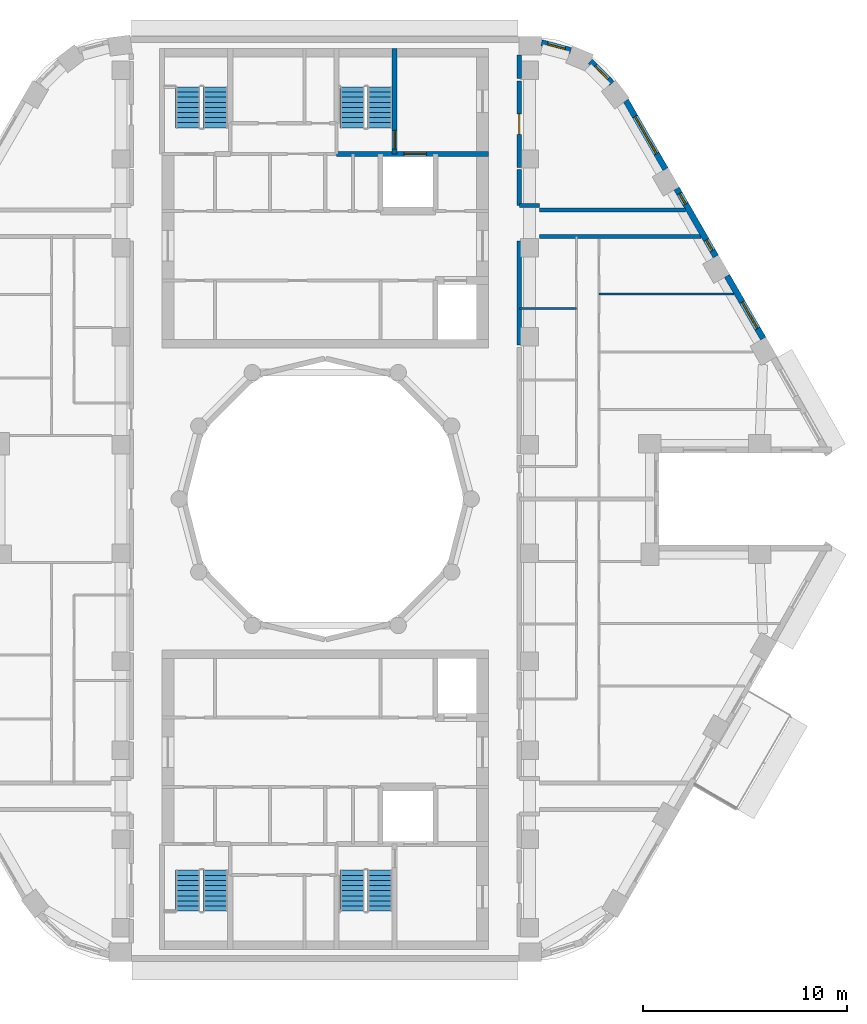
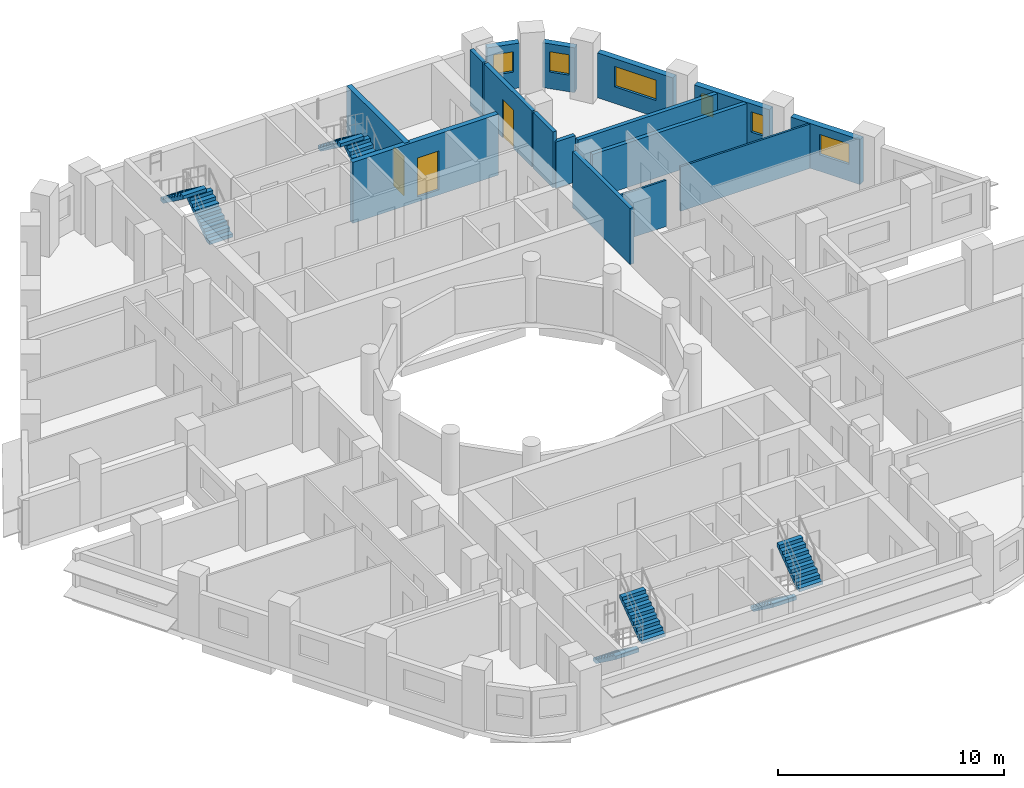
# One storey, part 8 of 12: 16 walls, 8 stair flights, 6 windows, 3 doors, 9 openings, 4 elements without a shape of their own.
"""IFC4 building model written with IfcOpenShell, lengths in metres."""

from ifc_helpers import new_model, si_unit, direction, frame, frame_2d, origin, place, context, subcontext, project, spatial, polyline, rectangle, outline, extrude, material, layer, layer_set, type_object, element, fill, aggregate, save


model = new_model("IFC4")

# Units and contexts
model_context = context("Model", 3, precision=1e-05, world=origin(), true_north=direction((0.0, 1.0)))
body_context = subcontext(model_context, "Body", "Model", "MODEL_VIEW")
ifc_project = project(units=[si_unit("LENGTHUNIT", "METRE"), si_unit("AREAUNIT", "SQUARE_METRE"), si_unit("VOLUMEUNIT", "CUBIC_METRE"), si_unit("PLANEANGLEUNIT", "RADIAN"), si_unit("MASSUNIT", "GRAM", prefix="KILO")], contexts=[model_context])

# Site, building, storey
site_placement = place(None, origin())
site = spatial("IfcSite", under=ifc_project, at=site_placement, CompositionType="ELEMENT")
building_placement = place(site_placement, origin())
building = spatial("IfcBuilding", under=site, at=building_placement, Name="Nakaniwa Court", CompositionType="ELEMENT")
storey_placement = place(building_placement, frame((0.0, 0.0, 232.800048828125)))
storey = spatial("IfcBuildingStorey", under=building, at=storey_placement, Name="L60", CompositionType="ELEMENT", Elevation=232.800048828125)

# Walls
ifc_material_1 = material(Name="Acoustic double stud partition")
ifc_layer_1 = layer(ifc_material_1, 0.199951171875)
ifc_layer_set_1 = layer_set([ifc_layer_1], Name="Acoustic double stud partition")
wall_type_1 = type_object("IfcWallType", Name="Acoustic double stud partition 200", PredefinedType="PARTITIONING", material=ifc_layer_set_1)
wall_1_placement = place(storey_placement, frame((89.5, 87.537109375, 0.0), z_axis=(0.0, 0.0, 1.0), x_axis=(0.0, 1.0, 0.0)))
element("IfcWall", 1, at=wall_1_placement, inside=storey, type_object=wall_type_1, Name="Partition PW-063", PredefinedType="PARTITIONING", context=body_context, shape_type="SweptSolid", body=[
    extrude(rectangle(XDim=5.0908203125, YDim=0.199951171875, at=frame_2d((2.54541015625, 0.0))), origin(), (0.0, 0.0, 1.0), 3.02490234375),
])
wall_2_placement = place(storey_placement, frame((89.5, 94.3720703125, 0.0), z_axis=(0.0, 0.0, 1.0), x_axis=(0.0, 1.0, 0.0)))
element("IfcWall", 2, at=wall_2_placement, inside=storey, type_object=wall_type_1, Name="Partition PW-064", PredefinedType="PARTITIONING", context=body_context, shape_type="SweptSolid", body=[
    extrude(rectangle(XDim=1.7509765625, YDim=0.199951171875, at=frame_2d((0.87548828125, 0.0))), origin(), (0.0, 0.0, 1.0), 3.02490234375),
])

# Wall, opening, door
wall_3_placement = place(storey_placement, frame((89.5, 100.472900390625, 0.0), z_axis=(0.0, 0.0, 1.0), x_axis=(0.0, -1.0, 0.0)))
wall_3 = element("IfcWall", 3, at=wall_3_placement, inside=storey, type_object=wall_type_1, Name="Partition PW-065", PredefinedType="PARTITIONING", context=body_context, shape_type="SweptSolid", body=[
    extrude(rectangle(XDim=4.23583984375, YDim=0.199951171875, at=frame_2d((2.117919921875, 0.0))), origin(), (0.0, 0.0, 1.0), 3.02490234375),
])
opening_1_placement = place(wall_3_placement, frame((1.617919921875, 0.0, 0.0)))
opening_1 = element("IfcOpeningElement", 4, at=opening_1_placement, cuts=wall_3, Name="Opening D-02-02", PredefinedType="OPENING", context=body_context, shape_type="SweptSolid", body=[
    extrude(rectangle(XDim=1.0, YDim=2.10009765625, at=frame_2d((0.5, 1.050048828125))), frame((0.0, 0.10986328125, 0.0), z_axis=(0.0, -1.0, 0.0), x_axis=(1.0, 0.0, 0.0)), (0.0, 0.0, 1.0), 0.219970703125),
])
ifc_material_2 = material(Name="Solid core timber door set, black veneer", Category="wood")
door_type_1 = type_object("IfcDoorType", Name="Internal door 1000", OperationType="NOTDEFINED", PredefinedType="DOOR", material=ifc_material_2)
door_1_placement = place(opening_1_placement, origin())
door_1 = element("IfcDoor", 5, at=door_1_placement, inside=storey, type_object=door_type_1, Name="Door D-02-02 L60-046", OperationType="SINGLE_SWING_LEFT", OverallHeight=2.10009765625, OverallWidth=1.0, PredefinedType="DOOR", context=body_context, shape_type="SweptSolid", body=[
    extrude(rectangle(XDim=1.0, YDim=2.10009765625, at=frame_2d((0.5, 1.050048828125))), frame((0.0, 0.02490234375, 0.0), z_axis=(0.0, -1.0, 0.0), x_axis=(1.0, 0.0, 0.0)), (0.0, 0.0, 1.0), 0.050048828125),
])
fill(opening_1, door_1)

# Walls
wall_4_placement = place(storey_placement, frame((89.5, 100.5869140625, 0.0), z_axis=(0.0, 0.0, 1.0), x_axis=(0.0, 1.0, 0.0)))
element("IfcWall", 6, at=wall_4_placement, inside=storey, type_object=wall_type_1, Name="Partition PW-066", PredefinedType="PARTITIONING", context=body_context, shape_type="SweptSolid", body=[
    extrude(rectangle(XDim=1.14599609375, YDim=0.199951171875, at=frame_2d((0.572998046875, 0.0))), origin(), (0.0, 0.0, 1.0), 3.02490234375),
])
wall_5_placement = place(storey_placement, frame((90.5, 92.85009765625, 0.0), z_axis=(0.0, 0.0, 1.0), x_axis=(1.0, 0.0, 0.0)))
element("IfcWall", 7, at=wall_5_placement, inside=storey, type_object=wall_type_1, Name="Partition PW-068", PredefinedType="PARTITIONING", context=body_context, shape_type="SweptSolid", body=[
    extrude(rectangle(XDim=7.888671875, YDim=0.199951171875, at=frame_2d((3.9443359375, 0.0))), origin(), (0.0, 0.0, 1.0), 2.405029296875),
])
wall_6_placement = place(storey_placement, frame((89.5, 94.375, 0.0), z_axis=(0.0, 0.0, 1.0), x_axis=(1.0, 0.0, 0.0)))
element("IfcWall", 8, at=wall_6_placement, inside=storey, type_object=wall_type_1, Name="Partition PW-070", PredefinedType="PARTITIONING", context=body_context, shape_type="SweptSolid", body=[
    extrude(rectangle(XDim=1.0, YDim=0.199951171875, at=frame_2d((0.5, 0.0))), origin(), (0.0, 0.0, 1.0), 2.5048828125),
])
wall_7_placement = place(storey_placement, frame((90.5, 94.14990234375, 0.0), z_axis=(0.0, 0.0, 1.0), x_axis=(1.0, 0.0, 0.0)))
element("IfcWall", 9, at=wall_7_placement, inside=storey, type_object=wall_type_1, Name="Partition PW-072", PredefinedType="PARTITIONING", context=body_context, shape_type="SweptSolid", body=[
    extrude(rectangle(XDim=7.13818359375, YDim=0.199951171875, at=frame_2d((3.569091796875, 0.0))), origin(), (0.0, 0.0, 1.0), 2.405029296875),
])

# Wall, opening, window
ifc_material_3 = material(Name="Charcoal ceramic cladding")
ifc_layer_2 = layer(ifc_material_3, 0.02, Name="Ceramic cladding")
ifc_material_4 = material(Name="Ventilated air cavity")
ifc_layer_3 = layer(ifc_material_4, 0.04, ventilated=True, Name="Ventilated cavity")
ifc_material_5 = material(Name="Mineral wool insulation")
ifc_layer_4 = layer(ifc_material_5, 0.1, Name="Insulation")
ifc_material_6 = material(Name="Cement bonded sheathing board")
ifc_layer_5 = layer(ifc_material_6, 0.012, Name="Sheathing")
ifc_material_7 = material(Name="Cold-formed galvanised stud frame with mineral wool infill")
ifc_layer_6 = layer(ifc_material_7, 0.1, Name="Stud frame")
ifc_material_8 = material(Name="Fire-rated gypsum plasterboard lining")
ifc_layer_7 = layer(ifc_material_8, 0.028, Name="Lining")
ifc_layer_set_2 = layer_set([ifc_layer_2, ifc_layer_3, ifc_layer_4, ifc_layer_5, ifc_layer_6, ifc_layer_7], Name="Charcoal ceramic faced external wall system")
wall_type_2 = type_object("IfcWallType", Name="Black ceramic faced external wall 300", PredefinedType="SOLIDWALL", material=ifc_layer_set_2)
wall_8_placement = place(storey_placement, frame((101.44580078125, 87.85498046875, 0.0), z_axis=(0.0, 0.0, 1.0), x_axis=(-0.500010404316, 0.866019396766, 0.0)))
wall_8 = element("IfcWall", 10, at=wall_8_placement, inside=storey, type_object=wall_type_2, Name="L60 external wall 03", PredefinedType="SOLIDWALL", context=body_context, shape_type="SweptSolid", body=[
    extrude(rectangle(XDim=3.54736328125, YDim=0.300048828125, at=frame_2d((1.773681640625, 0.0))), origin(), (0.0, 0.0, 1.0), 2.425048828125),
])
opening_2_placement = place(wall_8_placement, frame((0.56640625, 0.0, 0.89990234375)))
opening_2 = element("IfcOpeningElement", 11, at=opening_2_placement, cuts=wall_8, Name="Opening W5.05", PredefinedType="OPENING", context=body_context, shape_type="SweptSolid", body=[
    extrude(rectangle(XDim=1.5, YDim=1.10009765625, at=frame_2d((0.75, 0.550048828125))), frame((0.0, 0.159912109375, 0.0), z_axis=(0.0, -1.0, 0.0), x_axis=(1.0, 0.0, 0.0)), (0.0, 0.0, 1.0), 0.320068359375),
])
ifc_material_9 = material(Name="Black anodised aluminium frame with dark low-E laminated double glazing", Category="aluminium")
window_type_1 = type_object("IfcWindowType", Name="Dark glass window 1500x1100 sill 900", PartitioningType="SINGLE_PANEL", PredefinedType="WINDOW", material=ifc_material_9)
window_1_placement = place(opening_2_placement, origin())
window_1 = element("IfcWindow", 12, at=window_1_placement, inside=storey, type_object=window_type_1, Name="L60 bedroom window 03-0", OverallHeight=1.10009765625, OverallWidth=1.5, PartitioningType="SINGLE_PANEL", PredefinedType="WINDOW", context=body_context, shape_type="SweptSolid", body=[
    extrude(rectangle(XDim=1.5, YDim=1.10009765625, at=frame_2d((0.75, 0.550048828125))), frame((0.0, 0.030029296875, 0.0), z_axis=(0.0, -1.0, 0.0), x_axis=(1.0, 0.0, 0.0)), (0.0, 0.0, 1.0), 0.06005859375),
])
fill(opening_2, window_1)

# Wall, openings, windows
wall_9_placement = place(storey_placement, frame((99.126220703125, 91.87255859375, 0.0), z_axis=(0.0, 0.0, 1.0), x_axis=(-0.499984490703, 0.866034357896, 0.0)))
wall_9 = element("IfcWall", 13, at=wall_9_placement, inside=storey, type_object=wall_type_2, Name="L60 external wall 04", PredefinedType="SOLIDWALL", context=body_context, shape_type="SweptSolid", body=[
    extrude(rectangle(XDim=3.84423828125, YDim=0.300048828125, at=frame_2d((1.922119140625, 0.0))), origin(), (0.0, 0.0, 1.0), 2.425048828125),
])
opening_3_placement = place(wall_9_placement, frame((0.33837890625, 0.0, 0.89990234375)))
opening_3 = element("IfcOpeningElement", 14, at=opening_3_placement, cuts=wall_9, Name="Opening W8.06", PredefinedType="OPENING", context=body_context, shape_type="SweptSolid", body=[
    extrude(rectangle(XDim=0.60009765625, YDim=1.10009765625, at=frame_2d((0.300048828125, 0.550048828125))), frame((0.0, 0.159912109375, 0.0), z_axis=(0.0, -1.0, 0.0), x_axis=(1.0, 0.0, 0.0)), (0.0, 0.0, 1.0), 0.320068359375),
])
opening_4_placement = place(wall_9_placement, frame((2.961181640625, 0.0, 0.89990234375)))
opening_4 = element("IfcOpeningElement", 15, at=opening_4_placement, cuts=wall_9, Name="Opening W8.07", PredefinedType="OPENING", context=body_context, shape_type="SweptSolid", body=[
    extrude(rectangle(XDim=0.60009765625, YDim=1.10009765625, at=frame_2d((0.300048828125, 0.550048828125))), frame((0.0, 0.159912109375, 0.0), z_axis=(0.0, -1.0, 0.0), x_axis=(1.0, 0.0, 0.0)), (0.0, 0.0, 1.0), 0.320068359375),
])
window_type_2 = type_object("IfcWindowType", Name="Dark glass window 600x1100 sill 900", PartitioningType="SINGLE_PANEL", PredefinedType="WINDOW", material=ifc_material_9)
window_2_placement = place(opening_3_placement, origin())
window_2 = element("IfcWindow", 16, at=window_2_placement, inside=storey, type_object=window_type_2, Name="L60 bedroom window 04-0", OverallHeight=1.10009765625, OverallWidth=0.60009765625, PartitioningType="SINGLE_PANEL", PredefinedType="WINDOW", context=body_context, shape_type="SweptSolid", body=[
    extrude(rectangle(XDim=0.60009765625, YDim=1.10009765625, at=frame_2d((0.300048828125, 0.550048828125))), frame((0.0, 0.030029296875, 0.0), z_axis=(0.0, -1.0, 0.0), x_axis=(1.0, 0.0, 0.0)), (0.0, 0.0, 1.0), 0.06005859375),
])
fill(opening_3, window_2)
window_3_placement = place(opening_4_placement, origin())
window_3 = element("IfcWindow", 17, at=window_3_placement, inside=storey, type_object=window_type_2, Name="L60 habitable room window 04-2", OverallHeight=1.10009765625, OverallWidth=0.60009765625, PartitioningType="SINGLE_PANEL", PredefinedType="WINDOW", context=body_context, shape_type="SweptSolid", body=[
    extrude(rectangle(XDim=0.60009765625, YDim=1.10009765625, at=frame_2d((0.300048828125, 0.550048828125))), frame((0.0, 0.030029296875, 0.0), z_axis=(0.0, -1.0, 0.0), x_axis=(1.0, 0.0, 0.0)), (0.0, 0.0, 1.0), 0.06005859375),
])
fill(opening_4, window_3)

# Wall, opening, window
wall_10_placement = place(storey_placement, frame((96.657958984375, 96.1474609375, 0.0), z_axis=(0.0, 0.0, 1.0), x_axis=(-0.500011218404, 0.866018926739, 0.0)))
wall_10 = element("IfcWall", 18, at=wall_10_placement, inside=storey, type_object=wall_type_2, Name="L60 external wall 05", PredefinedType="SOLIDWALL", context=body_context, shape_type="SweptSolid", body=[
    extrude(rectangle(XDim=3.87890625, YDim=0.300048828125, at=frame_2d((1.939453125, 0.0))), origin(), (0.0, 0.0, 1.0), 2.425048828125),
])
opening_5_placement = place(wall_10_placement, frame((0.878173828125, 0.0, 0.89990234375)))
opening_5 = element("IfcOpeningElement", 19, at=opening_5_placement, cuts=wall_10, Name="Opening W7.08", PredefinedType="OPENING", context=body_context, shape_type="SweptSolid", body=[
    extrude(rectangle(XDim=2.10009765625, YDim=1.10009765625, at=frame_2d((1.050048828125, 0.550048828125))), frame((0.0, 0.159912109375, 0.0), z_axis=(0.0, -1.0, 0.0), x_axis=(1.0, 0.0, 0.0)), (0.0, 0.0, 1.0), 0.320068359375),
])
window_type_3 = type_object("IfcWindowType", Name="Dark glass window 2100x1100 sill 900", PartitioningType="SINGLE_PANEL", PredefinedType="WINDOW", material=ifc_material_9)
window_4_placement = place(opening_5_placement, origin())
window_4 = element("IfcWindow", 20, at=window_4_placement, inside=storey, type_object=window_type_3, Name="L60 habitable room window 05-0", OverallHeight=1.10009765625, OverallWidth=2.10009765625, PartitioningType="SINGLE_PANEL", PredefinedType="WINDOW", context=body_context, shape_type="SweptSolid", body=[
    extrude(rectangle(XDim=2.10009765625, YDim=1.10009765625, at=frame_2d((1.050048828125, 0.550048828125))), frame((0.0, 0.030029296875, 0.0), z_axis=(0.0, -1.0, 0.0), x_axis=(1.0, 0.0, 0.0)), (0.0, 0.0, 1.0), 0.06005859375),
])
fill(opening_5, window_4)

wall_11_placement = place(storey_placement, frame((94.0341796875, 100.3583984375, 0.0), z_axis=(0.0, 0.0, 1.0), x_axis=(-0.698675602211, 0.71543860874, 0.0)))
wall_11 = element("IfcWall", 21, at=wall_11_placement, inside=storey, type_object=wall_type_2, Name="L60 external wall 06", PredefinedType="SOLIDWALL", context=body_context, shape_type="SweptSolid", body=[
    extrude(rectangle(XDim=1.5, YDim=0.300048828125, at=frame_2d((0.75, 0.0))), origin(), (0.0, 0.0, 1.0), 2.425048828125),
])
opening_6_placement = place(wall_11_placement, frame((0.27587890625, 0.0, 0.89990234375)))
opening_6 = element("IfcOpeningElement", 22, at=opening_6_placement, cuts=wall_11, Name="Opening W9.09", PredefinedType="OPENING", context=body_context, shape_type="SweptSolid", body=[
    extrude(rectangle(XDim=0.89990234375, YDim=1.10009765625, at=frame_2d((0.449951171875, 0.550048828125))), frame((0.0, 0.159912109375, 0.0), z_axis=(0.0, -1.0, 0.0), x_axis=(1.0, 0.0, 0.0)), (0.0, 0.0, 1.0), 0.320068359375),
])
window_type_4 = type_object("IfcWindowType", Name="Dark glass window 900x1100 sill 900", PartitioningType="SINGLE_PANEL", PredefinedType="WINDOW", material=ifc_material_9)
window_5_placement = place(opening_6_placement, origin())
window_5 = element("IfcWindow", 23, at=window_5_placement, inside=storey, type_object=window_type_4, Name="L60 habitable room window 06-0", OverallHeight=1.10009765625, OverallWidth=0.89990234375, PartitioningType="SINGLE_PANEL", PredefinedType="WINDOW", context=body_context, shape_type="SweptSolid", body=[
    extrude(rectangle(XDim=0.89990234375, YDim=1.10009765625, at=frame_2d((0.449951171875, 0.550048828125))), frame((0.0, 0.030029296875, 0.0), z_axis=(0.0, -1.0, 0.0), x_axis=(1.0, 0.0, 0.0)), (0.0, 0.0, 1.0), 0.06005859375),
])
fill(opening_6, window_5)

wall_12_placement = place(storey_placement, frame((92.02099609375, 101.956298828125, 0.0), z_axis=(0.0, 0.0, 1.0), x_axis=(-0.965392564919, 0.260801065181, 0.0)))
wall_12 = element("IfcWall", 24, at=wall_12_placement, inside=storey, type_object=wall_type_2, Name="L60 external wall 07", PredefinedType="SOLIDWALL", context=body_context, shape_type="SweptSolid", body=[
    extrude(rectangle(XDim=1.48095703125, YDim=0.300048828125, at=frame_2d((0.740478515625, 0.0))), origin(), (0.0, 0.0, 1.0), 2.425048828125),
])
opening_7_placement = place(wall_12_placement, frame((0.280029296875, 0.0, 0.89990234375)))
opening_7 = element("IfcOpeningElement", 25, at=opening_7_placement, cuts=wall_12, Name="Opening W9.10", PredefinedType="OPENING", context=body_context, shape_type="SweptSolid", body=[
    extrude(rectangle(XDim=0.89990234375, YDim=1.10009765625, at=frame_2d((0.449951171875, 0.550048828125))), frame((0.0, 0.159912109375, 0.0), z_axis=(0.0, -1.0, 0.0), x_axis=(1.0, 0.0, 0.0)), (0.0, 0.0, 1.0), 0.320068359375),
])
window_6_placement = place(opening_7_placement, origin())
window_6 = element("IfcWindow", 26, at=window_6_placement, inside=storey, type_object=window_type_4, Name="L60 habitable room window 07-0", OverallHeight=1.10009765625, OverallWidth=0.89990234375, PartitioningType="SINGLE_PANEL", PredefinedType="WINDOW", context=body_context, shape_type="SweptSolid", body=[
    extrude(rectangle(XDim=0.89990234375, YDim=1.10009765625, at=frame_2d((0.449951171875, 0.550048828125))), frame((0.0, 0.030029296875, 0.0), z_axis=(0.0, -1.0, 0.0), x_axis=(1.0, 0.0, 0.0)), (0.0, 0.0, 1.0), 0.06005859375),
])
fill(opening_7, window_6)

# Wall, opening, door
ifc_material_10 = material(Name="Concrete C80/100", Category="concrete")
ifc_layer_8 = layer(ifc_material_10, 0.25)
ifc_layer_set_3 = layer_set([ifc_layer_8], Name="Concrete C80/100")
wall_type_3 = type_object("IfcWallType", Name="Concrete shaft wall 250 C80", PredefinedType="SHEAR", material=ifc_layer_set_3)
wall_13_placement = place(storey_placement, frame((80.547119140625, 96.89990234375, -0.275146484375), z_axis=(0.0, 0.0, 1.0), x_axis=(1.0, 0.0, 0.0)))
wall_13 = element("IfcWall", 27, at=wall_13_placement, inside=storey, type_object=wall_type_3, Name="Core wall SW-16", PredefinedType="SHEAR", context=body_context, shape_type="SweptSolid", body=[
    extrude(rectangle(XDim=7.452880859375, YDim=0.25, at=frame_2d((3.7265625, 0.0))), origin(), (0.0, 0.0, 1.0), 3.300048828125),
])
opening_8_placement = place(wall_13_placement, frame((3.302001953125, 0.0, 0.27490234375)))
opening_8 = element("IfcOpeningElement", 28, at=opening_8_placement, cuts=wall_13, Name="Opening LD02", PredefinedType="OPENING", context=body_context, shape_type="SweptSolid", body=[
    extrude(rectangle(XDim=1.10009765625, YDim=2.10009765625, at=frame_2d((0.550048828125, 1.050048828125))), frame((0.0, 0.135009765625, 0.0), z_axis=(0.0, -1.0, 0.0), x_axis=(1.0, 0.0, 0.0)), (0.0, 0.0, 1.0), 0.27001953125),
])
ifc_material_11 = material(Name="Stainless steel sliding lift landing door", Category="steel")
door_type_2 = type_object("IfcDoorType", Name="Lift landing door 1100", OperationType="NOTDEFINED", PredefinedType="DOOR", material=ifc_material_11)
door_2_placement = place(opening_8_placement, origin())
door_2 = element("IfcDoor", 29, at=door_2_placement, inside=storey, type_object=door_type_2, Name="Lift landing door LD02 L60-002", OperationType="SLIDING_TO_LEFT", OverallHeight=2.10009765625, OverallWidth=1.10009765625, PredefinedType="DOOR", context=body_context, shape_type="SweptSolid", body=[
    extrude(rectangle(XDim=1.10009765625, YDim=2.10009765625, at=frame_2d((0.550048828125, 1.050048828125))), frame((0.0, 0.02490234375, 0.0), z_axis=(0.0, -1.0, 0.0), x_axis=(1.0, 0.0, 0.0)), (0.0, 0.0, 1.0), 0.050048828125),
])
fill(opening_8, door_2)

wall_14_placement = place(storey_placement, frame((83.39990234375, 102.050048828125, -0.275146484375), z_axis=(0.0, 0.0, 1.0), x_axis=(0.0, -1.0, 0.0)))
wall_14 = element("IfcWall", 30, at=wall_14_placement, inside=storey, type_object=wall_type_3, Name="Core wall SW-24", PredefinedType="SHEAR", context=body_context, shape_type="SweptSolid", body=[
    extrude(rectangle(XDim=5.150146484375, YDim=0.25, at=frame_2d((2.5751953125, 0.0))), origin(), (0.0, 0.0, 1.0), 3.300048828125),
])
opening_9_placement = place(wall_14_placement, frame((4.0, 0.0, 0.27490234375)))
opening_9 = element("IfcOpeningElement", 31, at=opening_9_placement, cuts=wall_14, Name="Opening D-11-01", PredefinedType="OPENING", context=body_context, shape_type="SweptSolid", body=[
    extrude(rectangle(XDim=0.89990234375, YDim=2.10009765625, at=frame_2d((0.449951171875, 1.050048828125))), frame((0.0, 0.135009765625, 0.0), z_axis=(0.0, -1.0, 0.0), x_axis=(1.0, 0.0, 0.0)), (0.0, 0.0, 1.0), 0.27001953125),
])
ifc_material_12 = material(Name="Fire rated steel door set", Category="steel")
door_type_3 = type_object("IfcDoorType", Name="Stair door 900", OperationType="NOTDEFINED", PredefinedType="DOOR", material=ifc_material_12)
door_3_placement = place(opening_9_placement, origin())
door_3 = element("IfcDoor", 32, at=door_3_placement, inside=storey, type_object=door_type_3, Name="Door D-11-01 L60-014", OperationType="SINGLE_SWING_RIGHT", OverallHeight=2.10009765625, OverallWidth=0.89990234375, PredefinedType="DOOR", context=body_context, shape_type="SweptSolid", body=[
    extrude(rectangle(XDim=0.89990234375, YDim=2.10009765625, at=frame_2d((0.449951171875, 1.050048828125))), frame((0.0, 0.02490234375, 0.0), z_axis=(0.0, -1.0, 0.0), x_axis=(1.0, 0.0, 0.0)), (0.0, 0.0, 1.0), 0.050048828125),
])
fill(opening_9, door_3)

# Walls
ifc_material_13 = material(Name="Single stud plasterboard partition")
ifc_layer_9 = layer(ifc_material_13, 0.10009765625)
ifc_layer_set_4 = layer_set([ifc_layer_9], Name="Single stud plasterboard partition")
wall_type_4 = type_object("IfcWallType", Name="Single stud plasterboard partition 100", PredefinedType="PARTITIONING", material=ifc_layer_set_4)
wall_15_placement = place(storey_placement, frame((89.5, 89.333984375, 0.0), z_axis=(0.0, 0.0, 1.0), x_axis=(1.0, 0.0, 0.0)))
element("IfcWall", 33, at=wall_15_placement, inside=storey, type_object=wall_type_4, Name="Partition PW-102", PredefinedType="PARTITIONING", context=body_context, shape_type="SweptSolid", body=[
    extrude(rectangle(XDim=2.800048828125, YDim=0.10009765625, at=frame_2d((1.39990234375, 0.0))), origin(), (0.0, 0.0, 1.0), 2.5048828125),
])
wall_16_placement = place(storey_placement, frame((93.39990234375, 90.029052734375, 0.0), z_axis=(0.0, 0.0, 1.0), x_axis=(1.0, 0.0, 0.0)))
element("IfcWall", 34, at=wall_16_placement, inside=storey, type_object=wall_type_4, Name="Partition PW-105", PredefinedType="PARTITIONING", context=body_context, shape_type="SweptSolid", body=[
    extrude(rectangle(XDim=6.6171875, YDim=0.10009765625, at=frame_2d((3.30859375, 0.0))), origin(), (0.0, 0.0, 1.0), 2.405029296875),
])

# Stair, stair flights
stair_type = type_object("IfcStairType", Name="Dog leg stair 1200 wide 18 risers", PredefinedType="HALF_TURN_STAIR", material=ifc_material_10)
stair_1_placement = place(storey_placement, origin())
stair_1 = element("IfcStair", 35, at=stair_1_placement, inside=storey, type_object=stair_type, Name="L60 Stair ST1", PredefinedType="HALF_TURN_STAIR")
stair_flight_type = type_object("IfcStairFlightType", Name="Stair flight 1200 wide 9 risers", PredefinedType="STRAIGHT", material=ifc_material_10)
stair_flight_1_placement = place(storey_placement, frame((74.625, 98.175048828125, 0.0), z_axis=(0.0, 0.0, 1.0), x_axis=(0.0, 1.0, 0.0)))
stair_flight_1 = element("IfcStairFlight", 36, at=stair_flight_1_placement, type_object=stair_flight_type, Name="ST1 flight 1", NumberOfRisers=9, NumberOfTreads=8, PredefinedType="STRAIGHT", RiserHeight=0.183333333, TreadLength=0.25, context=body_context, shape_type="SweptSolid", body=[
    extrude(outline(polyline([(0.0, 0.0), (0.0, 0.026123046875), (0.0, 0.052490234375), (0.0, 0.07861328125), (0.0, 0.104736328125), (0.0, 0.130859375), (0.0, 0.1572265625), (0.0, 0.183349609375), (0.25, 0.183349609375), (0.25, 0.36669921875), (0.5, 0.36669921875), (0.5, 0.550048828125), (0.75, 0.550048828125), (0.75, 0.7333984375), (1.0, 0.7333984375), (1.0, 0.916748046875), (1.25, 0.916748046875), (1.25, 1.10009765625), (1.5, 1.10009765625), (1.5, 1.283447265625), (1.75, 1.283447265625), (1.75, 1.466552734375), (2.0, 1.466552734375), (2.0, 1.64990234375), (2.0, 1.59716796875), (2.0, 1.54443359375), (2.0, 1.49169921875), (2.0, 1.43896484375), (2.0, 1.38623046875), (2.0, 1.33349609375), (2.0, 1.28076171875), (0.25341796875, 0.0), (0.0, 0.0)])), frame((0.0, 0.60009765625, 0.0), z_axis=(0.0, -1.0, 0.0), x_axis=(1.0, 0.0, 0.0)), (0.0, 0.0, 1.0), 1.199951171875),
])
stair_flight_2_placement = place(storey_placement, frame((73.27490234375, 100.175048828125, 1.64990234375), z_axis=(0.0, 0.0, 1.0), x_axis=(0.0, -1.0, 0.0)))
stair_flight_2 = element("IfcStairFlight", 37, at=stair_flight_2_placement, type_object=stair_flight_type, Name="ST1 flight 2", NumberOfRisers=9, NumberOfTreads=8, PredefinedType="STRAIGHT", RiserHeight=0.183333333, TreadLength=0.25, context=body_context, shape_type="SweptSolid", body=[
    extrude(outline(polyline([(0.0, 0.0), (0.0, 0.026123046875), (0.0, 0.052490234375), (0.0, 0.07861328125), (0.0, 0.104736328125), (0.0, 0.130859375), (0.0, 0.1572265625), (0.0, 0.183349609375), (0.25, 0.183349609375), (0.25, 0.36669921875), (0.5, 0.36669921875), (0.5, 0.550048828125), (0.75, 0.550048828125), (0.75, 0.7333984375), (1.0, 0.7333984375), (1.0, 0.916748046875), (1.25, 0.916748046875), (1.25, 1.10009765625), (1.5, 1.10009765625), (1.5, 1.283447265625), (1.75, 1.283447265625), (1.75, 1.466552734375), (2.0, 1.466552734375), (2.0, 1.64990234375), (2.0, 1.59716796875), (2.0, 1.54443359375), (2.0, 1.49169921875), (2.0, 1.43896484375), (2.0, 1.38623046875), (2.0, 1.33349609375), (2.0, 1.28076171875), (0.25341796875, 0.0), (0.0, 0.0)])), frame((0.0, 0.60009765625, 0.0), z_axis=(0.0, -1.0, 0.0), x_axis=(1.0, 0.0, 0.0)), (0.0, 0.0, 1.0), 1.199951171875),
])
aggregate(stair_1, [stair_flight_1, stair_flight_2])

stair_2_placement = place(storey_placement, origin())
stair_2 = element("IfcStair", 38, at=stair_2_placement, inside=storey, type_object=stair_type, Name="L60 Stair ST2", PredefinedType="HALF_TURN_STAIR")
stair_flight_3_placement = place(storey_placement, frame((82.675048828125, 98.175048828125, 0.0), z_axis=(0.0, 0.0, 1.0), x_axis=(0.0, 1.0, 0.0)))
stair_flight_3 = element("IfcStairFlight", 39, at=stair_flight_3_placement, type_object=stair_flight_type, Name="ST2 flight 1", NumberOfRisers=9, NumberOfTreads=8, PredefinedType="STRAIGHT", RiserHeight=0.183333333, TreadLength=0.25, context=body_context, shape_type="SweptSolid", body=[
    extrude(outline(polyline([(0.0, 0.0), (0.0, 0.026123046875), (0.0, 0.052490234375), (0.0, 0.07861328125), (0.0, 0.104736328125), (0.0, 0.130859375), (0.0, 0.1572265625), (0.0, 0.183349609375), (0.25, 0.183349609375), (0.25, 0.36669921875), (0.5, 0.36669921875), (0.5, 0.550048828125), (0.75, 0.550048828125), (0.75, 0.7333984375), (1.0, 0.7333984375), (1.0, 0.916748046875), (1.25, 0.916748046875), (1.25, 1.10009765625), (1.5, 1.10009765625), (1.5, 1.283447265625), (1.75, 1.283447265625), (1.75, 1.466552734375), (2.0, 1.466552734375), (2.0, 1.64990234375), (2.0, 1.59716796875), (2.0, 1.54443359375), (2.0, 1.49169921875), (2.0, 1.43896484375), (2.0, 1.38623046875), (2.0, 1.33349609375), (2.0, 1.28076171875), (0.25341796875, 0.0), (0.0, 0.0)])), frame((0.0, 0.60009765625, 0.0), z_axis=(0.0, -1.0, 0.0), x_axis=(1.0, 0.0, 0.0)), (0.0, 0.0, 1.0), 1.199951171875),
])
stair_flight_4_placement = place(storey_placement, frame((81.324951171875, 100.175048828125, 1.64990234375), z_axis=(0.0, 0.0, 1.0), x_axis=(0.0, -1.0, 0.0)))
stair_flight_4 = element("IfcStairFlight", 40, at=stair_flight_4_placement, type_object=stair_flight_type, Name="ST2 flight 2", NumberOfRisers=9, NumberOfTreads=8, PredefinedType="STRAIGHT", RiserHeight=0.183333333, TreadLength=0.25, context=body_context, shape_type="SweptSolid", body=[
    extrude(outline(polyline([(0.0, 0.0), (0.0, 0.026123046875), (0.0, 0.052490234375), (0.0, 0.07861328125), (0.0, 0.104736328125), (0.0, 0.130859375), (0.0, 0.1572265625), (0.0, 0.183349609375), (0.25, 0.183349609375), (0.25, 0.36669921875), (0.5, 0.36669921875), (0.5, 0.550048828125), (0.75, 0.550048828125), (0.75, 0.7333984375), (1.0, 0.7333984375), (1.0, 0.916748046875), (1.25, 0.916748046875), (1.25, 1.10009765625), (1.5, 1.10009765625), (1.5, 1.283447265625), (1.75, 1.283447265625), (1.75, 1.466552734375), (2.0, 1.466552734375), (2.0, 1.64990234375), (2.0, 1.59716796875), (2.0, 1.54443359375), (2.0, 1.49169921875), (2.0, 1.43896484375), (2.0, 1.38623046875), (2.0, 1.33349609375), (2.0, 1.28076171875), (0.25341796875, 0.0), (0.0, 0.0)])), frame((0.0, 0.60009765625, 0.0), z_axis=(0.0, -1.0, 0.0), x_axis=(1.0, 0.0, 0.0)), (0.0, 0.0, 1.0), 1.199951171875),
])
aggregate(stair_2, [stair_flight_3, stair_flight_4])

stair_3_placement = place(storey_placement, origin())
stair_3 = element("IfcStair", 41, at=stair_3_placement, inside=storey, type_object=stair_type, Name="L60 Stair ST3", PredefinedType="HALF_TURN_STAIR")
stair_flight_5_placement = place(storey_placement, frame((73.27490234375, 61.824951171875, 0.0), z_axis=(0.0, 0.0, 1.0), x_axis=(0.0, -1.0, 0.0)))
stair_flight_5 = element("IfcStairFlight", 42, at=stair_flight_5_placement, type_object=stair_flight_type, Name="ST3 flight 1", NumberOfRisers=9, NumberOfTreads=8, PredefinedType="STRAIGHT", RiserHeight=0.183333333, TreadLength=0.25, context=body_context, shape_type="SweptSolid", body=[
    extrude(outline(polyline([(0.0, 0.0), (0.0, 0.026123046875), (0.0, 0.052490234375), (0.0, 0.07861328125), (0.0, 0.104736328125), (0.0, 0.130859375), (0.0, 0.1572265625), (0.0, 0.183349609375), (0.25, 0.183349609375), (0.25, 0.36669921875), (0.5, 0.36669921875), (0.5, 0.550048828125), (0.75, 0.550048828125), (0.75, 0.7333984375), (1.0, 0.7333984375), (1.0, 0.916748046875), (1.25, 0.916748046875), (1.25, 1.10009765625), (1.5, 1.10009765625), (1.5, 1.283447265625), (1.75, 1.283447265625), (1.75, 1.466552734375), (2.0, 1.466552734375), (2.0, 1.64990234375), (2.0, 1.59716796875), (2.0, 1.54443359375), (2.0, 1.49169921875), (2.0, 1.43896484375), (2.0, 1.38623046875), (2.0, 1.33349609375), (2.0, 1.28076171875), (0.25341796875, 0.0), (0.0, 0.0)])), frame((0.0, 0.60009765625, 0.0), z_axis=(0.0, -1.0, 0.0), x_axis=(1.0, 0.0, 0.0)), (0.0, 0.0, 1.0), 1.199951171875),
])
stair_flight_6_placement = place(storey_placement, frame((74.625, 59.824951171875, 1.64990234375), z_axis=(0.0, 0.0, 1.0), x_axis=(0.0, 1.0, 0.0)))
stair_flight_6 = element("IfcStairFlight", 43, at=stair_flight_6_placement, type_object=stair_flight_type, Name="ST3 flight 2", NumberOfRisers=9, NumberOfTreads=8, PredefinedType="STRAIGHT", RiserHeight=0.183333333, TreadLength=0.25, context=body_context, shape_type="SweptSolid", body=[
    extrude(outline(polyline([(0.0, 0.0), (0.0, 0.026123046875), (0.0, 0.052490234375), (0.0, 0.07861328125), (0.0, 0.104736328125), (0.0, 0.130859375), (0.0, 0.1572265625), (0.0, 0.183349609375), (0.25, 0.183349609375), (0.25, 0.36669921875), (0.5, 0.36669921875), (0.5, 0.550048828125), (0.75, 0.550048828125), (0.75, 0.7333984375), (1.0, 0.7333984375), (1.0, 0.916748046875), (1.25, 0.916748046875), (1.25, 1.10009765625), (1.5, 1.10009765625), (1.5, 1.283447265625), (1.75, 1.283447265625), (1.75, 1.466552734375), (2.0, 1.466552734375), (2.0, 1.64990234375), (2.0, 1.59716796875), (2.0, 1.54443359375), (2.0, 1.49169921875), (2.0, 1.43896484375), (2.0, 1.38623046875), (2.0, 1.33349609375), (2.0, 1.28076171875), (0.25341796875, 0.0), (0.0, 0.0)])), frame((0.0, 0.60009765625, 0.0), z_axis=(0.0, -1.0, 0.0), x_axis=(1.0, 0.0, 0.0)), (0.0, 0.0, 1.0), 1.199951171875),
])
aggregate(stair_3, [stair_flight_5, stair_flight_6])

stair_4_placement = place(storey_placement, origin())
stair_4 = element("IfcStair", 44, at=stair_4_placement, inside=storey, type_object=stair_type, Name="L60 Stair ST4", PredefinedType="HALF_TURN_STAIR")
stair_flight_7_placement = place(storey_placement, frame((81.324951171875, 61.824951171875, 0.0), z_axis=(0.0, 0.0, 1.0), x_axis=(0.0, -1.0, 0.0)))
stair_flight_7 = element("IfcStairFlight", 45, at=stair_flight_7_placement, type_object=stair_flight_type, Name="ST4 flight 1", NumberOfRisers=9, NumberOfTreads=8, PredefinedType="STRAIGHT", RiserHeight=0.183333333, TreadLength=0.25, context=body_context, shape_type="SweptSolid", body=[
    extrude(outline(polyline([(0.0, 0.0), (0.0, 0.026123046875), (0.0, 0.052490234375), (0.0, 0.07861328125), (0.0, 0.104736328125), (0.0, 0.130859375), (0.0, 0.1572265625), (0.0, 0.183349609375), (0.25, 0.183349609375), (0.25, 0.36669921875), (0.5, 0.36669921875), (0.5, 0.550048828125), (0.75, 0.550048828125), (0.75, 0.7333984375), (1.0, 0.7333984375), (1.0, 0.916748046875), (1.25, 0.916748046875), (1.25, 1.10009765625), (1.5, 1.10009765625), (1.5, 1.283447265625), (1.75, 1.283447265625), (1.75, 1.466552734375), (2.0, 1.466552734375), (2.0, 1.64990234375), (2.0, 1.59716796875), (2.0, 1.54443359375), (2.0, 1.49169921875), (2.0, 1.43896484375), (2.0, 1.38623046875), (2.0, 1.33349609375), (2.0, 1.28076171875), (0.25341796875, 0.0), (0.0, 0.0)])), frame((0.0, 0.60009765625, 0.0), z_axis=(0.0, -1.0, 0.0), x_axis=(1.0, 0.0, 0.0)), (0.0, 0.0, 1.0), 1.199951171875),
])
stair_flight_8_placement = place(storey_placement, frame((82.675048828125, 59.824951171875, 1.64990234375), z_axis=(0.0, 0.0, 1.0), x_axis=(0.0, 1.0, 0.0)))
stair_flight_8 = element("IfcStairFlight", 46, at=stair_flight_8_placement, type_object=stair_flight_type, Name="ST4 flight 2", NumberOfRisers=9, NumberOfTreads=8, PredefinedType="STRAIGHT", RiserHeight=0.183333333, TreadLength=0.25, context=body_context, shape_type="SweptSolid", body=[
    extrude(outline(polyline([(0.0, 0.0), (0.0, 0.026123046875), (0.0, 0.052490234375), (0.0, 0.07861328125), (0.0, 0.104736328125), (0.0, 0.130859375), (0.0, 0.1572265625), (0.0, 0.183349609375), (0.25, 0.183349609375), (0.25, 0.36669921875), (0.5, 0.36669921875), (0.5, 0.550048828125), (0.75, 0.550048828125), (0.75, 0.7333984375), (1.0, 0.7333984375), (1.0, 0.916748046875), (1.25, 0.916748046875), (1.25, 1.10009765625), (1.5, 1.10009765625), (1.5, 1.283447265625), (1.75, 1.283447265625), (1.75, 1.466552734375), (2.0, 1.466552734375), (2.0, 1.64990234375), (2.0, 1.59716796875), (2.0, 1.54443359375), (2.0, 1.49169921875), (2.0, 1.43896484375), (2.0, 1.38623046875), (2.0, 1.33349609375), (2.0, 1.28076171875), (0.25341796875, 0.0), (0.0, 0.0)])), frame((0.0, 0.60009765625, 0.0), z_axis=(0.0, -1.0, 0.0), x_axis=(1.0, 0.0, 0.0)), (0.0, 0.0, 1.0), 1.199951171875),
])
aggregate(stair_4, [stair_flight_7, stair_flight_8])

save(model, "model.ifc")
